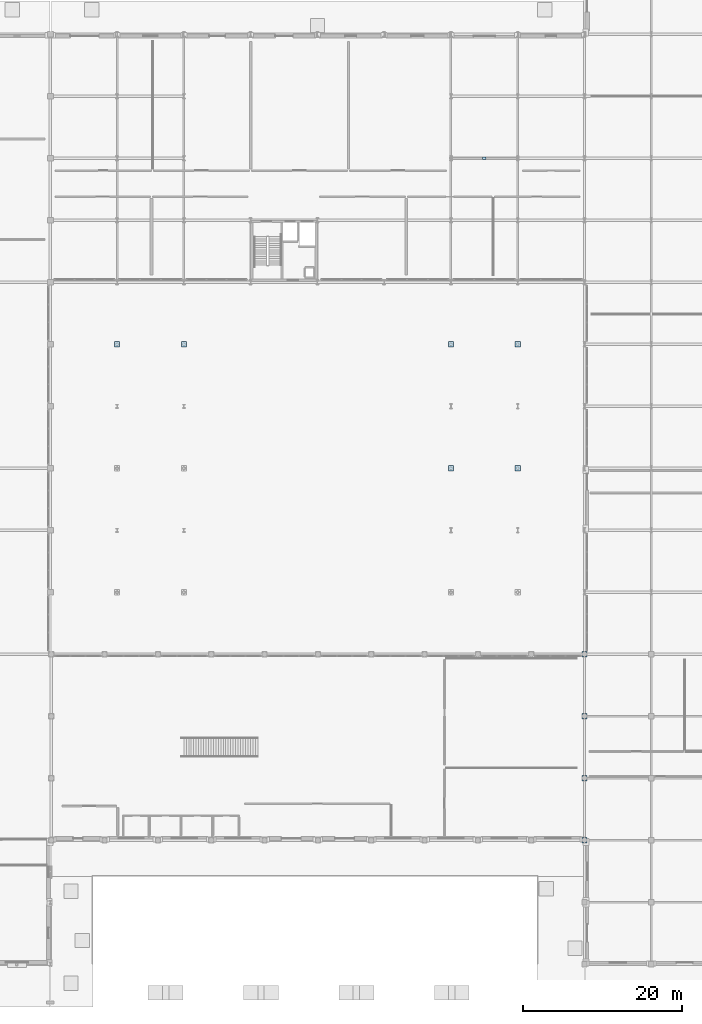
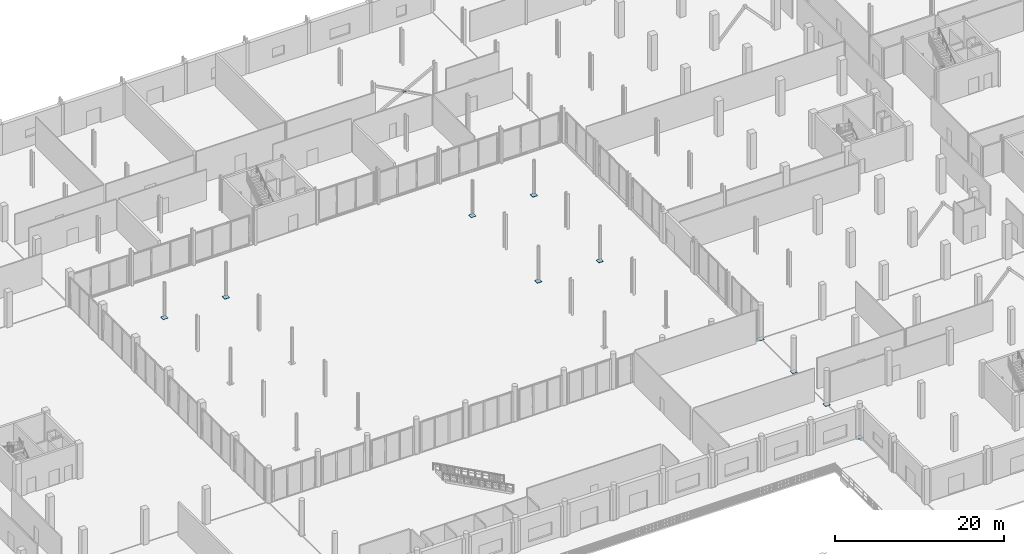
# One storey, part 45 of 80: 11 plates.
"""IFC4 building model written with IfcOpenShell, lengths in metres."""

from ifc_helpers import new_model, si_unit, direction, frame, origin, origin_2d, place, context, subcontext, project, spatial, rectangle, extrude, material, layer, layer_set, type_object, element, save


model = new_model("IFC4")

# Units and contexts
model_context = context("Model", 3, precision=1e-05, world=origin(), true_north=direction((0.0, 1.0)))
body_context = subcontext(model_context, "Body", "Model", "MODEL_VIEW")
ifc_project = project(units=[si_unit("LENGTHUNIT", "METRE"), si_unit("AREAUNIT", "SQUARE_METRE"), si_unit("VOLUMEUNIT", "CUBIC_METRE"), si_unit("PLANEANGLEUNIT", "RADIAN"), si_unit("MASSUNIT", "GRAM", prefix="KILO")], contexts=[model_context])

# Site, building, storey
site_placement = place(None, origin())
site = spatial("IfcSite", under=ifc_project, at=site_placement, CompositionType="ELEMENT")
building_placement = place(site_placement, origin())
building = spatial("IfcBuilding", under=site, at=building_placement, Name="Nabrawat Pavilion Hospital", CompositionType="ELEMENT")
storey_placement = place(building_placement, origin())
storey = spatial("IfcBuildingStorey", under=building, at=storey_placement, Name="L00", CompositionType="ELEMENT", Elevation=0.0)

# Plates
ifc_material = material(Name="Steel S355", Category="steel")
ifc_layer_1 = layer(ifc_material, 0.0400390625, Name="Steel S355")
ifc_layer_set_1 = layer_set([ifc_layer_1], Name="Steel S355")
plate_type_1 = type_object("IfcPlateType", Name="Column Base Flange Plate 650x650x40", PredefinedType="USERDEFINED", material=ifc_layer_set_1)
for number, where, z_axis, x_axis, name in (
    (1, (75.60009765625, 78.0, 0.0), (0.0, 0.0, 1.0), (1.0, 0.0, 0.0), "L00 Column Flange Plate G-10-L"),
    (2, (109.199951171875, 62.39990234375, 0.0), (0.0, 0.0, 1.0), (1.0, 0.0, 0.0), "L00 Column Flange Plate G-14-J"),
    (3, (109.199951171875, 78.0, 0.0), (0.0, 0.0, 1.0), (1.0, 0.0, 0.0), "L00 Column Flange Plate G-14-L"),
    (4, (117.60009765625, 62.39990234375, 0.0), (0.0, 0.0, 1.0), (1.0, 0.0, 0.0), "L00 Column Flange Plate G-15-J"),
    (5, (117.60009765625, 78.0, 0.0), (0.0, 0.0, 1.0), (1.0, 0.0, 0.0), "L00 Column Flange Plate G-15-L"),
    (6, (67.199951171875, 78.0, 0.0), (0.0, 0.0, 1.0), (1.0, 0.0, 0.0), "L00 Column Flange Plate G-9-L"),
    (7, (126.0, 23.39990234375, 0.0), (0.0, 0.0, 1.0), (1.0, 0.0, 0.0), "L00 Column Flange Plate MH-E01"),
    (8, (126.0, 31.199951171875, 0.0), (0.0, 0.0, 1.0), (1.0, 0.0, 0.0), "L00 Column Flange Plate MH-E02"),
    (9, (126.0, 39.0, 0.0), (0.0, 0.0, 1.0), (1.0, 0.0, 0.0), "L00 Column Flange Plate MH-N10"),
    (10, (126.0, 15.60009765625, 0.0), (0.0, 0.0, 1.0), (1.0, 0.0, 0.0), "L00 Column Flange Plate MH-S10"),
):
    element("IfcPlate", number, at=place(storey_placement, frame(where, z_axis=z_axis, x_axis=x_axis)), inside=storey, type_object=plate_type_1, Name=name, ObjectType="FLANGE PLATE", PredefinedType="USERDEFINED", context=body_context, shape_type="SweptSolid", body=[
        extrude(rectangle(XDim=0.64990234375, YDim=0.64990234375, at=origin_2d()), origin(), (0.0, 0.0, 1.0), 0.0400390625),
    ])
ifc_layer_2 = layer(ifc_material, 0.02392578125, Name="Steel S355")
ifc_layer_set_2 = layer_set([ifc_layer_2], Name="Steel S355")
plate_type_2 = type_object("IfcPlateType", Name="X-Brace Crossing Gusset Plate 440x280x24", PredefinedType="USERDEFINED", material=ifc_layer_set_2)
plate_placement = place(storey_placement, frame((113.39990234375, 101.39990234375, 2.2880859375), z_axis=(0.0, 0.0, 1.0), x_axis=(1.0, 0.0, 0.0)))
element("IfcPlate", 11, at=plate_placement, inside=storey, type_object=plate_type_2, Name="L00 Split X-Brace Crossing Gusset Plate 06", ObjectType="GUSSET PLATE", PredefinedType="USERDEFINED", context=body_context, shape_type="SweptSolid", body=[
    extrude(rectangle(XDim=0.43994140625, YDim=0.280029296875, at=origin_2d()), origin(), (0.0, 0.0, 1.0), 0.02392578125),
])

save(model, "model.ifc")
